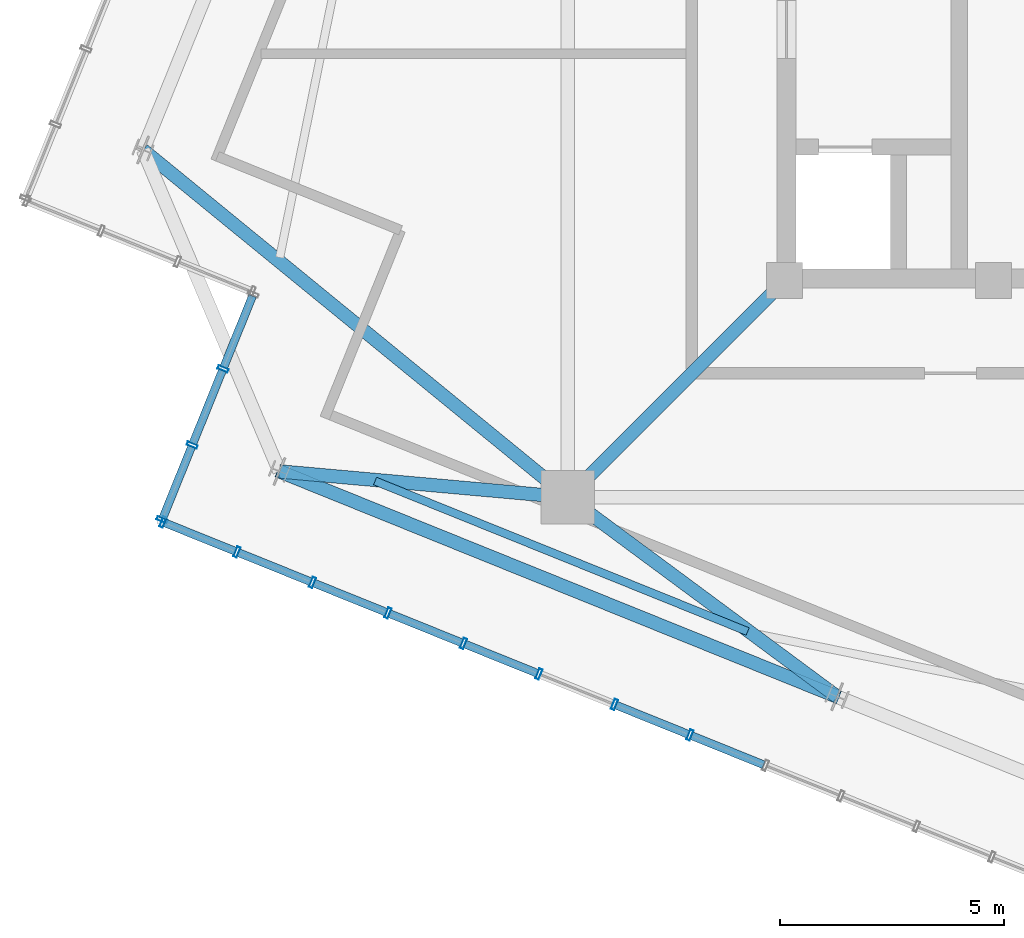
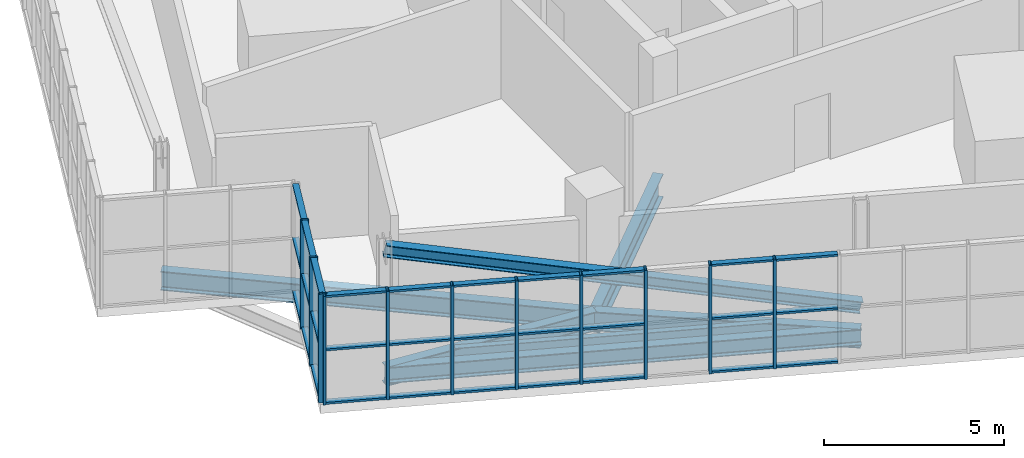
# One storey, part 3 of 26: 42 members, 6 beams, 2 elements without a shape of their own.
"""IFC4 building model written with IfcOpenShell, lengths in metres."""

from ifc_helpers import new_model, si_unit, direction, frame, origin, origin_2d, place, context, subcontext, project, spatial, hollow_rectangle, i_section, extrude, source, transform, mapped, material, layer, layer_set, material_profile, profile_set, type_object, element, aggregate, save


model = new_model("IFC4")

# Units and contexts
model_context = context("Model", 3, precision=1e-05, world=origin(), true_north=direction((0.0, 1.0)))
body_context = subcontext(model_context, "Body", "Model", "MODEL_VIEW")
ifc_project = project(units=[si_unit("LENGTHUNIT", "METRE"), si_unit("AREAUNIT", "SQUARE_METRE"), si_unit("VOLUMEUNIT", "CUBIC_METRE"), si_unit("PLANEANGLEUNIT", "RADIAN"), si_unit("MASSUNIT", "GRAM", prefix="KILO"), si_unit("THERMODYNAMICTEMPERATUREUNIT", "KELVIN")], contexts=[model_context])

# Site, building, storey
site_placement = place(None, origin())
site = spatial("IfcSite", under=ifc_project, at=site_placement, CompositionType="ELEMENT")
building_placement = place(site_placement, origin())
building = spatial("IfcBuilding", under=site, at=building_placement, Name="Kosmvard Interchange Tower", CompositionType="ELEMENT")
storey_placement = place(building_placement, frame((0.0, 0.0, 333.60009765625)))
storey = spatial("IfcBuildingStorey", under=building, at=storey_placement, Name="L82", CompositionType="ELEMENT", Elevation=333.60009765625)

# Beam
ifc_material_1 = material(Name="Steel S355", Category="steel")
ifc_material_profile_1 = material_profile(ifc_material_1, i_section(OverallWidth=0.300048828125, OverallDepth=0.800048828125, WebThickness=0.017578125, FlangeThickness=0.032958984375, FilletRadius=0.027099609375, at=origin_2d()), Name="HEB 800")
ifc_profile_set_1 = profile_set([ifc_material_profile_1], Name="Steel S355")
beam_type_1 = type_object("IfcBeamType", Name="Primary Mega-Frame Girder HEB 800 S355", PredefinedType="BEAM", material=ifc_profile_set_1)
shared_shape_1 = source(origin(), body_context, "Body", "SweptSolid", [
    extrude(i_section(OverallWidth=0.300048828125, OverallDepth=0.800048828125, WebThickness=0.017578125, FlangeThickness=0.032958984375, FilletRadius=0.027099609375, at=origin_2d()), origin(), (0.0, 0.0, 1.0), 6.83203125),
])
beam_1_placement = place(storey_placement, frame((-8.25, -8.25, -0.7001953125), z_axis=(-0.707106781187, -0.707106781187, 0.0), x_axis=(0.707106781187, -0.707106781187, 0.0)))
element("IfcBeam", 1, at=beam_1_placement, inside=storey, type_object=beam_type_1, Name="L82 Radial Mega-Frame Girder 1", PredefinedType="BEAM", context=body_context, shape_type="MappedRepresentation", body=[
    mapped(shared_shape_1, transform((0.0, 0.0, 0.0), scale=1.0)),
])

# Member
ifc_material_profile_2 = material_profile(ifc_material_1, i_section(OverallWidth=0.300048828125, OverallDepth=0.39990234375, WebThickness=0.013427734375, FlangeThickness=0.02392578125, FilletRadius=0.027099609375, at=origin_2d()), Name="HEB 400")
ifc_profile_set_2 = profile_set([ifc_material_profile_2], Name="Steel S355")
member_type_1 = type_object("IfcMemberType", Name="Lantern Crown Diagrid Brace HEB 400 S355", PredefinedType="BRACE", material=ifc_profile_set_2)
shared_shape_2 = source(origin(), body_context, "Body", "SweptSolid", [
    extrude(i_section(OverallWidth=0.300048828125, OverallDepth=0.39990234375, WebThickness=0.013427734375, FlangeThickness=0.02392578125, FilletRadius=0.027099609375, at=origin_2d()), origin(), (0.0, 0.0, 1.0), 13.78369140625),
])
member_1_placement = place(storey_placement, frame((-7.080078125, -17.523681640625, 0.419921875), z_axis=(-0.901373372792, 0.364162635972, 0.234332279859), x_axis=(-0.374592580972, -0.927189515839, 0.0)))
element("IfcMember", 2, at=member_1_placement, inside=storey, type_object=member_type_1, Name="L82 Crown Lantern Diagrid Brace W1", PredefinedType="BRACE", context=body_context, shape_type="MappedRepresentation", body=[
    mapped(shared_shape_2, transform((0.0, 0.0, 0.0), scale=1.0)),
])

# Beams
ifc_material_profile_3 = material_profile(ifc_material_1, i_section(OverallWidth=0.300048828125, OverallDepth=0.550048828125, WebThickness=0.014892578125, FlangeThickness=0.029052734375, FilletRadius=0.027099609375, at=origin_2d()), Name="HEB 550")
ifc_profile_set_3 = profile_set([ifc_material_profile_3], Name="Steel S355")
beam_type_2 = type_object("IfcBeamType", Name="Crown Ring Cap Girder HEB 550 S355", PredefinedType="BEAM", material=ifc_profile_set_3)
shared_shape_3 = source(origin(), body_context, "Body", "SweptSolid", [
    extrude(i_section(OverallWidth=0.300048828125, OverallDepth=0.550048828125, WebThickness=0.014892578125, FlangeThickness=0.029052734375, FilletRadius=0.027099609375, at=origin_2d()), origin(), (0.0, 0.0, 1.0), 13.39990234375),
])
beam_2_placement = place(storey_placement, frame((-19.50439453125, -12.504150390625, -0.5751953125), z_axis=(0.927189515839, -0.374592580972, 0.0), x_axis=(0.374592580972, 0.927189515839, 0.0)))
element("IfcBeam", 3, at=beam_2_placement, inside=storey, type_object=beam_type_2, Name="BM-L82-PR10", PredefinedType="BEAM", context=body_context, shape_type="MappedRepresentation", body=[
    mapped(shared_shape_3, transform((0.0, 0.0, 0.0), scale=1.0)),
])
ifc_material_profile_4 = material_profile(ifc_material_1, i_section(OverallWidth=0.300048828125, OverallDepth=0.64990234375, WebThickness=0.01611328125, FlangeThickness=0.031005859375, FilletRadius=0.027099609375, at=origin_2d()), Name="HEB 650")
ifc_profile_set_4 = profile_set([ifc_material_profile_4], Name="Steel S355")
beam_type_3 = type_object("IfcBeamType", Name="Primary Floor Girder HEB 650 S355", PredefinedType="BEAM", material=ifc_profile_set_4)
shared_shape_4 = source(origin(), body_context, "Body", "SweptSolid", [
    extrude(i_section(OverallWidth=0.300048828125, OverallDepth=0.64990234375, WebThickness=0.01611328125, FlangeThickness=0.031005859375, FilletRadius=0.027099609375, at=origin_2d()), origin(), (0.0, 0.0, 1.0), 6.44921875),
])
beam_3_placement = place(storey_placement, frame((-13.0810546875, -13.0810546875, -0.625), z_axis=(-0.995990982197, 0.089453694068, 0.0), x_axis=(-0.089453694068, -0.995990982197, 0.0)))
element("IfcBeam", 4, at=beam_3_placement, inside=storey, type_object=beam_type_3, Name="BM-L82-RD10", PredefinedType="BEAM", context=body_context, shape_type="MappedRepresentation", body=[
    mapped(shared_shape_4, transform((0.0, 0.0, 0.0), scale=1.0)),
])
shared_shape_5 = source(origin(), body_context, "Body", "SweptSolid", [
    extrude(i_section(OverallWidth=0.300048828125, OverallDepth=0.64990234375, WebThickness=0.01611328125, FlangeThickness=0.031005859375, FilletRadius=0.027099609375, at=origin_2d()), origin(), (0.0, 0.0, 1.0), 7.466552734375),
])
beam_4_placement = place(storey_placement, frame((-13.0810546875, -13.0810546875, -0.625), z_axis=(0.803719929879, -0.595007793491, 0.0), x_axis=(0.595007793491, 0.803719929879, 0.0)))
element("IfcBeam", 5, at=beam_4_placement, inside=storey, type_object=beam_type_3, Name="BM-L82-RD11", PredefinedType="BEAM", context=body_context, shape_type="MappedRepresentation", body=[
    mapped(shared_shape_5, transform((0.0, 0.0, 0.0), scale=1.0)),
])
shared_shape_6 = source(origin(), body_context, "Body", "SweptSolid", [
    extrude(i_section(OverallWidth=0.300048828125, OverallDepth=0.64990234375, WebThickness=0.01611328125, FlangeThickness=0.031005859375, FilletRadius=0.027099609375, at=origin_2d()), origin(), (0.0, 0.0, 1.0), 12.22265625),
])
beam_5_placement = place(storey_placement, frame((-13.0810546875, -13.0810546875, -0.625), z_axis=(-0.774163725034, 0.632985408079, 0.0), x_axis=(-0.632985408079, -0.774163725034, 0.0)))
element("IfcBeam", 6, at=beam_5_placement, inside=storey, type_object=beam_type_3, Name="BM-L82-RD09", PredefinedType="BEAM", context=body_context, shape_type="MappedRepresentation", body=[
    mapped(shared_shape_6, transform((0.0, 0.0, 0.0), scale=1.0)),
])
ifc_material_profile_5 = material_profile(ifc_material_1, i_section(OverallWidth=0.179931640625, OverallDepth=0.39990234375, WebThickness=0.008544921875, FlangeThickness=0.013427734375, FilletRadius=0.02099609375, at=origin_2d()), Name="IPE 400")
ifc_profile_set_5 = profile_set([ifc_material_profile_5], Name="Steel S355")
beam_type_4 = type_object("IfcBeamType", Name="Upper-Zone Floor Joist IPE 400 S355", PredefinedType="JOIST", material=ifc_profile_set_5)
shared_shape_7 = source(origin(), body_context, "Body", "SweptSolid", [
    extrude(i_section(OverallWidth=0.179931640625, OverallDepth=0.39990234375, WebThickness=0.008544921875, FlangeThickness=0.013427734375, FilletRadius=0.02099609375, at=origin_2d()), origin(), (0.0, 0.0, 1.0), 8.9521484375),
])
beam_6_placement = place(storey_placement, frame((-17.374755859375, -12.71875, -0.5), z_axis=(0.927194118723, -0.374581187736, 0.0), x_axis=(0.374581187736, 0.927194118723, 0.0)))
element("IfcBeam", 7, at=beam_6_placement, inside=storey, type_object=beam_type_4, Name="BM-L82-FJ07", PredefinedType="JOIST", context=body_context, shape_type="MappedRepresentation", body=[
    mapped(shared_shape_7, transform((0.0, 0.0, 0.0), scale=1.0)),
])

# Curtain wall, members
ifc_material_2 = material(Name="Architectural anodised aluminium", Category="aluminium")
ifc_layer = layer(ifc_material_2, 0.25, Name="Architectural anodised aluminium")
ifc_layer_set = layer_set([ifc_layer], Name="Architectural anodised aluminium")
curtain_wall_type = type_object("IfcCurtainWallType", Name="CW-6 Illuminated Crown Lantern Curtain Wall", PredefinedType="NOTDEFINED", material=ifc_layer_set)
curtain_wall_1_placement = place(storey_placement, origin())
curtain_wall_1 = element("IfcCurtainWall", 8, at=curtain_wall_1_placement, inside=storey, type_object=curtain_wall_type, Name="L82 Crown Lantern Glazing Face 09", PredefinedType="NOTDEFINED")
ifc_material_profile_6 = material_profile(ifc_material_2, hollow_rectangle(XDim=0.239990234375, YDim=0.080078125, WallThickness=0.006103515625, at=origin_2d()), Name="CWM 240x80x6")
ifc_profile_set_6 = profile_set([ifc_material_profile_6], Name="Architectural anodised aluminium")
member_type_2 = type_object("IfcMemberType", Name="Lantern & Observation CW Mullion 240x80 Aluminium", PredefinedType="MULLION", material=ifc_profile_set_6)
shared_shape_8 = source(origin(), body_context, "Body", "SweptSolid", [
    extrude(hollow_rectangle(XDim=0.239990234375, YDim=0.080078125, WallThickness=0.006103515625, at=origin_2d()), origin(), (0.0, 0.0, 1.0), 3.699951171875),
])
member_2_placement = place(storey_placement, frame((-20.760498046875, -10.220458984375, 0.0), z_axis=(0.0, 0.0, 1.0), x_axis=(0.927183891631, -0.374606501678, 0.0)))
member_2 = element("IfcMember", 9, at=member_2_placement, type_object=member_type_2, Name="CW-6 mullion 2", PredefinedType="MULLION", context=body_context, shape_type="MappedRepresentation", body=[
    mapped(shared_shape_8, transform((0.0, 0.0, 0.0), scale=1.0)),
])
member_3_placement = place(storey_placement, frame((-21.447265625, -11.92041015625, 0.0), z_axis=(0.0, 0.0, 1.0), x_axis=(0.927183891631, -0.374606501678, 0.0)))
member_3 = element("IfcMember", 10, at=member_3_placement, type_object=member_type_2, Name="CW-6 mullion 3", PredefinedType="MULLION", context=body_context, shape_type="MappedRepresentation", body=[
    mapped(shared_shape_8, transform((0.0, 0.0, 0.0), scale=1.0)),
])
member_4_placement = place(storey_placement, frame((-22.118896484375, -13.583251953125, 0.0), z_axis=(0.0, 0.0, 1.0), x_axis=(0.927183891631, -0.374606501678, 0.0)))
member_4 = element("IfcMember", 11, at=member_4_placement, type_object=member_type_2, Name="CW-6 mullion 4", PredefinedType="MULLION", context=body_context, shape_type="MappedRepresentation", body=[
    mapped(shared_shape_8, transform((0.0, 0.0, 0.0), scale=1.0)),
])

curtain_wall_2_placement = place(storey_placement, origin())
curtain_wall_2 = element("IfcCurtainWall", 12, at=curtain_wall_2_placement, inside=storey, type_object=curtain_wall_type, Name="L82 Crown Lantern Glazing Face 10", PredefinedType="NOTDEFINED")
member_5_placement = place(storey_placement, frame((-22.096923828125, -13.63525390625, 0.0), z_axis=(0.0, 0.0, 1.0), x_axis=(0.374606584758, 0.927183858065, 0.0)))
member_5 = element("IfcMember", 13, at=member_5_placement, type_object=member_type_2, Name="CW-6 mullion 1", PredefinedType="MULLION", context=body_context, shape_type="MappedRepresentation", body=[
    mapped(shared_shape_8, transform((0.0, 0.0, 0.0), scale=1.0)),
])
member_6_placement = place(storey_placement, frame((-20.451904296875, -14.2998046875, 0.0), z_axis=(0.0, 0.0, 1.0), x_axis=(0.374606584758, 0.927183858065, 0.0)))
member_6 = element("IfcMember", 14, at=member_6_placement, type_object=member_type_2, Name="CW-6 mullion 2", PredefinedType="MULLION", context=body_context, shape_type="MappedRepresentation", body=[
    mapped(shared_shape_8, transform((0.0, 0.0, 0.0), scale=1.0)),
])
member_7_placement = place(storey_placement, frame((-18.77001953125, -14.9794921875, 0.0), z_axis=(0.0, 0.0, 1.0), x_axis=(0.374606584758, 0.927183858065, 0.0)))
member_7 = element("IfcMember", 15, at=member_7_placement, type_object=member_type_2, Name="CW-6 mullion 3", PredefinedType="MULLION", context=body_context, shape_type="MappedRepresentation", body=[
    mapped(shared_shape_8, transform((0.0, 0.0, 0.0), scale=1.0)),
])
member_8_placement = place(storey_placement, frame((-17.087890625, -15.658935546875, 0.0), z_axis=(0.0, 0.0, 1.0), x_axis=(0.374606584758, 0.927183858065, 0.0)))
member_8 = element("IfcMember", 16, at=member_8_placement, type_object=member_type_2, Name="CW-6 mullion 4", PredefinedType="MULLION", context=body_context, shape_type="MappedRepresentation", body=[
    mapped(shared_shape_8, transform((0.0, 0.0, 0.0), scale=1.0)),
])
member_9_placement = place(storey_placement, frame((-15.40576171875, -16.338623046875, 0.0), z_axis=(0.0, 0.0, 1.0), x_axis=(0.374606584758, 0.927183858065, 0.0)))
member_9 = element("IfcMember", 17, at=member_9_placement, type_object=member_type_2, Name="CW-6 mullion 5", PredefinedType="MULLION", context=body_context, shape_type="MappedRepresentation", body=[
    mapped(shared_shape_8, transform((0.0, 0.0, 0.0), scale=1.0)),
])
member_10_placement = place(storey_placement, frame((-13.723876953125, -17.01806640625, 0.0), z_axis=(0.0, 0.0, 1.0), x_axis=(0.374606584758, 0.927183858065, 0.0)))
member_10 = element("IfcMember", 18, at=member_10_placement, type_object=member_type_2, Name="CW-6 mullion 6", PredefinedType="MULLION", context=body_context, shape_type="MappedRepresentation", body=[
    mapped(shared_shape_8, transform((0.0, 0.0, 0.0), scale=1.0)),
])
member_11_placement = place(storey_placement, frame((-12.041748046875, -17.69775390625, 0.0), z_axis=(0.0, 0.0, 1.0), x_axis=(0.374606584758, 0.927183858065, 0.0)))
member_11 = element("IfcMember", 19, at=member_11_placement, type_object=member_type_2, Name="CW-6 mullion 7", PredefinedType="MULLION", context=body_context, shape_type="MappedRepresentation", body=[
    mapped(shared_shape_8, transform((0.0, 0.0, 0.0), scale=1.0)),
])
member_12_placement = place(storey_placement, frame((-10.35986328125, -18.377197265625, 0.0), z_axis=(0.0, 0.0, 1.0), x_axis=(0.374606584758, 0.927183858065, 0.0)))
member_12 = element("IfcMember", 20, at=member_12_placement, type_object=member_type_2, Name="CW-6 mullion 8", PredefinedType="MULLION", context=body_context, shape_type="MappedRepresentation", body=[
    mapped(shared_shape_8, transform((0.0, 0.0, 0.0), scale=1.0)),
])
ifc_material_profile_7 = material_profile(ifc_material_2, hollow_rectangle(XDim=0.179931640625, YDim=0.070068359375, WallThickness=0.0048828125, at=origin_2d()), Name="CWT 180x70x5")
ifc_profile_set_7 = profile_set([ifc_material_profile_7], Name="Architectural anodised aluminium")
member_type_3 = type_object("IfcMemberType", Name="Heavy Lantern CW Transom 180x70 Aluminium", PredefinedType="USERDEFINED", material=ifc_profile_set_7)
shared_shape_9 = source(origin(), body_context, "Body", "SweptSolid", [
    extrude(hollow_rectangle(XDim=0.179931640625, YDim=0.070068359375, WallThickness=0.0048828125, at=origin_2d()), origin(), (0.0, 0.0, 1.0), 1.694091796875),
])
member_13_placement = place(storey_placement, frame((-22.059814453125, -13.650146484375, 0.034912109375), z_axis=(0.927159064032, -0.374667946298, 0.0), x_axis=(0.374667946298, 0.927159064032, 0.0)))
member_13 = element("IfcMember", 21, at=member_13_placement, type_object=member_type_3, Name="CW-6 transom 1.1", ObjectType="TRANSOM", PredefinedType="USERDEFINED", context=body_context, shape_type="MappedRepresentation", body=[
    mapped(shared_shape_9, transform((0.0, 0.0, 0.0), scale=1.0)),
])
member_14_placement = place(storey_placement, frame((-22.059814453125, -13.650146484375, 1.849853515625), z_axis=(0.927159064032, -0.374667946298, 0.0), x_axis=(0.374667946298, 0.927159064032, 0.0)))
member_14 = element("IfcMember", 22, at=member_14_placement, type_object=member_type_3, Name="CW-6 transom 1.2", ObjectType="TRANSOM", PredefinedType="USERDEFINED", context=body_context, shape_type="MappedRepresentation", body=[
    mapped(shared_shape_9, transform((0.0, 0.0, 0.0), scale=1.0)),
])
member_15_placement = place(storey_placement, frame((-22.059814453125, -13.650146484375, 3.664794921875), z_axis=(0.927159064032, -0.374667946298, 0.0), x_axis=(0.374667946298, 0.927159064032, 0.0)))
member_15 = element("IfcMember", 23, at=member_15_placement, type_object=member_type_3, Name="CW-6 transom 1.3", ObjectType="TRANSOM", PredefinedType="USERDEFINED", context=body_context, shape_type="MappedRepresentation", body=[
    mapped(shared_shape_9, transform((0.0, 0.0, 0.0), scale=1.0)),
])
shared_shape_10 = source(origin(), body_context, "Body", "SweptSolid", [
    extrude(hollow_rectangle(XDim=0.179931640625, YDim=0.070068359375, WallThickness=0.0048828125, at=origin_2d()), origin(), (0.0, 0.0, 1.0), 1.734130859375),
])
member_16_placement = place(storey_placement, frame((-20.414794921875, -14.314697265625, 0.034912109375), z_axis=(0.927179782522, -0.374616671924, 0.0), x_axis=(0.374616671924, 0.927179782522, 0.0)))
member_16 = element("IfcMember", 24, at=member_16_placement, type_object=member_type_3, Name="CW-6 transom 2.1", ObjectType="TRANSOM", PredefinedType="USERDEFINED", context=body_context, shape_type="MappedRepresentation", body=[
    mapped(shared_shape_10, transform((0.0, 0.0, 0.0), scale=1.0)),
])
member_17_placement = place(storey_placement, frame((-20.414794921875, -14.314697265625, 1.849853515625), z_axis=(0.927179782522, -0.374616671924, 0.0), x_axis=(0.374616671924, 0.927179782522, 0.0)))
member_17 = element("IfcMember", 25, at=member_17_placement, type_object=member_type_3, Name="CW-6 transom 2.2", ObjectType="TRANSOM", PredefinedType="USERDEFINED", context=body_context, shape_type="MappedRepresentation", body=[
    mapped(shared_shape_10, transform((0.0, 0.0, 0.0), scale=1.0)),
])
member_18_placement = place(storey_placement, frame((-20.414794921875, -14.314697265625, 3.664794921875), z_axis=(0.927179782522, -0.374616671924, 0.0), x_axis=(0.374616671924, 0.927179782522, 0.0)))
member_18 = element("IfcMember", 26, at=member_18_placement, type_object=member_type_3, Name="CW-6 transom 2.3", ObjectType="TRANSOM", PredefinedType="USERDEFINED", context=body_context, shape_type="MappedRepresentation", body=[
    mapped(shared_shape_10, transform((0.0, 0.0, 0.0), scale=1.0)),
])
member_19_placement = place(storey_placement, frame((-18.73291015625, -14.994384765625, 0.034912109375), z_axis=(0.927179782522, -0.374616671924, 0.0), x_axis=(0.374616671924, 0.927179782522, 0.0)))
member_19 = element("IfcMember", 27, at=member_19_placement, type_object=member_type_3, Name="CW-6 transom 3.1", ObjectType="TRANSOM", PredefinedType="USERDEFINED", context=body_context, shape_type="MappedRepresentation", body=[
    mapped(shared_shape_10, transform((0.0, 0.0, 0.0), scale=1.0)),
])
member_20_placement = place(storey_placement, frame((-18.73291015625, -14.994384765625, 1.849853515625), z_axis=(0.927179782522, -0.374616671924, 0.0), x_axis=(0.374616671924, 0.927179782522, 0.0)))
member_20 = element("IfcMember", 28, at=member_20_placement, type_object=member_type_3, Name="CW-6 transom 3.2", ObjectType="TRANSOM", PredefinedType="USERDEFINED", context=body_context, shape_type="MappedRepresentation", body=[
    mapped(shared_shape_10, transform((0.0, 0.0, 0.0), scale=1.0)),
])
member_21_placement = place(storey_placement, frame((-18.73291015625, -14.994384765625, 3.664794921875), z_axis=(0.927179782522, -0.374616671924, 0.0), x_axis=(0.374616671924, 0.927179782522, 0.0)))
member_21 = element("IfcMember", 29, at=member_21_placement, type_object=member_type_3, Name="CW-6 transom 3.3", ObjectType="TRANSOM", PredefinedType="USERDEFINED", context=body_context, shape_type="MappedRepresentation", body=[
    mapped(shared_shape_10, transform((0.0, 0.0, 0.0), scale=1.0)),
])
member_22_placement = place(storey_placement, frame((-17.05078125, -15.674072265625, 0.034912109375), z_axis=(0.927228675447, -0.374495638732, 0.0), x_axis=(0.374495638732, 0.927228675447, 0.0)))
member_22 = element("IfcMember", 30, at=member_22_placement, type_object=member_type_3, Name="CW-6 transom 4.1", ObjectType="TRANSOM", PredefinedType="USERDEFINED", context=body_context, shape_type="MappedRepresentation", body=[
    mapped(shared_shape_10, transform((0.0, 0.0, 0.0), scale=1.0)),
])
member_23_placement = place(storey_placement, frame((-17.05078125, -15.674072265625, 1.849853515625), z_axis=(0.927228675447, -0.374495638732, 0.0), x_axis=(0.374495638732, 0.927228675447, 0.0)))
member_23 = element("IfcMember", 31, at=member_23_placement, type_object=member_type_3, Name="CW-6 transom 4.2", ObjectType="TRANSOM", PredefinedType="USERDEFINED", context=body_context, shape_type="MappedRepresentation", body=[
    mapped(shared_shape_10, transform((0.0, 0.0, 0.0), scale=1.0)),
])
member_24_placement = place(storey_placement, frame((-17.05078125, -15.674072265625, 3.664794921875), z_axis=(0.927228675447, -0.374495638732, 0.0), x_axis=(0.374495638732, 0.927228675447, 0.0)))
member_24 = element("IfcMember", 32, at=member_24_placement, type_object=member_type_3, Name="CW-6 transom 4.3", ObjectType="TRANSOM", PredefinedType="USERDEFINED", context=body_context, shape_type="MappedRepresentation", body=[
    mapped(shared_shape_10, transform((0.0, 0.0, 0.0), scale=1.0)),
])
member_25_placement = place(storey_placement, frame((-15.368896484375, -16.353515625, 0.034912109375), z_axis=(0.927179782522, -0.374616671924, 0.0), x_axis=(0.374616671924, 0.927179782522, 0.0)))
member_25 = element("IfcMember", 33, at=member_25_placement, type_object=member_type_3, Name="CW-6 transom 5.1", ObjectType="TRANSOM", PredefinedType="USERDEFINED", context=body_context, shape_type="MappedRepresentation", body=[
    mapped(shared_shape_10, transform((0.0, 0.0, 0.0), scale=1.0)),
])
member_26_placement = place(storey_placement, frame((-15.368896484375, -16.353515625, 1.849853515625), z_axis=(0.927179782522, -0.374616671924, 0.0), x_axis=(0.374616671924, 0.927179782522, 0.0)))
member_26 = element("IfcMember", 34, at=member_26_placement, type_object=member_type_3, Name="CW-6 transom 5.2", ObjectType="TRANSOM", PredefinedType="USERDEFINED", context=body_context, shape_type="MappedRepresentation", body=[
    mapped(shared_shape_10, transform((0.0, 0.0, 0.0), scale=1.0)),
])
member_27_placement = place(storey_placement, frame((-15.368896484375, -16.353515625, 3.664794921875), z_axis=(0.927179782522, -0.374616671924, 0.0), x_axis=(0.374616671924, 0.927179782522, 0.0)))
member_27 = element("IfcMember", 35, at=member_27_placement, type_object=member_type_3, Name="CW-6 transom 5.3", ObjectType="TRANSOM", PredefinedType="USERDEFINED", context=body_context, shape_type="MappedRepresentation", body=[
    mapped(shared_shape_10, transform((0.0, 0.0, 0.0), scale=1.0)),
])
member_28_placement = place(storey_placement, frame((-10.32275390625, -18.392333984375, 0.034912109375), z_axis=(0.927179782522, -0.374616671924, 0.0), x_axis=(0.374616671924, 0.927179782522, 0.0)))
member_28 = element("IfcMember", 36, at=member_28_placement, type_object=member_type_3, Name="CW-6 transom 8.1", ObjectType="TRANSOM", PredefinedType="USERDEFINED", context=body_context, shape_type="MappedRepresentation", body=[
    mapped(shared_shape_10, transform((0.0, 0.0, 0.0), scale=1.0)),
])
member_29_placement = place(storey_placement, frame((-10.32275390625, -18.392333984375, 1.849853515625), z_axis=(0.927179782522, -0.374616671924, 0.0), x_axis=(0.374616671924, 0.927179782522, 0.0)))
member_29 = element("IfcMember", 37, at=member_29_placement, type_object=member_type_3, Name="CW-6 transom 8.2", ObjectType="TRANSOM", PredefinedType="USERDEFINED", context=body_context, shape_type="MappedRepresentation", body=[
    mapped(shared_shape_10, transform((0.0, 0.0, 0.0), scale=1.0)),
])
member_30_placement = place(storey_placement, frame((-10.32275390625, -18.392333984375, 3.664794921875), z_axis=(0.927179782522, -0.374616671924, 0.0), x_axis=(0.374616671924, 0.927179782522, 0.0)))
member_30 = element("IfcMember", 38, at=member_30_placement, type_object=member_type_3, Name="CW-6 transom 8.3", ObjectType="TRANSOM", PredefinedType="USERDEFINED", context=body_context, shape_type="MappedRepresentation", body=[
    mapped(shared_shape_10, transform((0.0, 0.0, 0.0), scale=1.0)),
])
shared_shape_11 = source(origin(), body_context, "Body", "SweptSolid", [
    extrude(hollow_rectangle(XDim=0.179931640625, YDim=0.070068359375, WallThickness=0.0048828125, at=origin_2d()), origin(), (0.0, 0.0, 1.0), 1.73388671875),
])
member_31_placement = place(storey_placement, frame((-12.004638671875, -17.712646484375, 0.034912109375), z_axis=(0.927160021861, -0.374665576032, 0.0), x_axis=(0.374665576032, 0.927160021861, 0.0)))
member_31 = element("IfcMember", 39, at=member_31_placement, type_object=member_type_3, Name="CW-6 transom 7.1", ObjectType="TRANSOM", PredefinedType="USERDEFINED", context=body_context, shape_type="MappedRepresentation", body=[
    mapped(shared_shape_11, transform((0.0, 0.0, 0.0), scale=1.0)),
])
member_32_placement = place(storey_placement, frame((-12.004638671875, -17.712646484375, 1.849853515625), z_axis=(0.927160021861, -0.374665576032, 0.0), x_axis=(0.374665576032, 0.927160021861, 0.0)))
member_32 = element("IfcMember", 40, at=member_32_placement, type_object=member_type_3, Name="CW-6 transom 7.2", ObjectType="TRANSOM", PredefinedType="USERDEFINED", context=body_context, shape_type="MappedRepresentation", body=[
    mapped(shared_shape_11, transform((0.0, 0.0, 0.0), scale=1.0)),
])
member_33_placement = place(storey_placement, frame((-12.004638671875, -17.712646484375, 3.664794921875), z_axis=(0.927160021861, -0.374665576032, 0.0), x_axis=(0.374665576032, 0.927160021861, 0.0)))
member_33 = element("IfcMember", 41, at=member_33_placement, type_object=member_type_3, Name="CW-6 transom 7.3", ObjectType="TRANSOM", PredefinedType="USERDEFINED", context=body_context, shape_type="MappedRepresentation", body=[
    mapped(shared_shape_11, transform((0.0, 0.0, 0.0), scale=1.0)),
])
aggregate(curtain_wall_2, [member_5, member_6, member_7, member_8, member_9, member_10, member_11, member_12, member_13, member_14, member_15, member_16, member_17, member_18, member_19, member_20, member_21, member_22, member_23, member_24, member_25, member_26, member_27, member_31, member_32, member_33, member_28, member_29, member_30])

# Member
shared_shape_12 = source(origin(), body_context, "Body", "SweptSolid", [
    extrude(hollow_rectangle(XDim=0.179931640625, YDim=0.070068359375, WallThickness=0.0048828125, at=origin_2d()), origin(), (0.0, 0.0, 1.0), 1.71337890625),
])
member_34_placement = place(storey_placement, frame((-20.103515625, -8.594970703125, 0.034912109375), z_axis=(-0.374606758599, -0.927183787829, 0.0), x_axis=(0.927183787829, -0.374606758599, 0.0)))
member_34 = element("IfcMember", 42, at=member_34_placement, type_object=member_type_3, Name="CW-6 transom 1.1", ObjectType="TRANSOM", PredefinedType="USERDEFINED", context=body_context, shape_type="MappedRepresentation", body=[
    mapped(shared_shape_12, transform((0.0, 0.0, 0.0), scale=1.0)),
])

member_35_placement = place(storey_placement, frame((-20.103515625, -8.594970703125, 1.849853515625), z_axis=(-0.374606758599, -0.927183787829, 0.0), x_axis=(0.927183787829, -0.374606758599, 0.0)))
member_35 = element("IfcMember", 43, at=member_35_placement, type_object=member_type_3, Name="CW-6 transom 1.2", ObjectType="TRANSOM", PredefinedType="USERDEFINED", context=body_context, shape_type="MappedRepresentation", body=[
    mapped(shared_shape_12, transform((0.0, 0.0, 0.0), scale=1.0)),
])

member_36_placement = place(storey_placement, frame((-20.103515625, -8.594970703125, 3.664794921875), z_axis=(-0.374606758599, -0.927183787829, 0.0), x_axis=(0.927183787829, -0.374606758599, 0.0)))
member_36 = element("IfcMember", 44, at=member_36_placement, type_object=member_type_3, Name="CW-6 transom 1.3", ObjectType="TRANSOM", PredefinedType="USERDEFINED", context=body_context, shape_type="MappedRepresentation", body=[
    mapped(shared_shape_12, transform((0.0, 0.0, 0.0), scale=1.0)),
])

member_37_placement = place(storey_placement, frame((-21.462158203125, -11.95751953125, 0.034912109375), z_axis=(-0.374606758599, -0.927183787829, 0.0), x_axis=(0.927183787829, -0.374606758599, 0.0)))
member_37 = element("IfcMember", 45, at=member_37_placement, type_object=member_type_3, Name="CW-6 transom 3.1", ObjectType="TRANSOM", PredefinedType="USERDEFINED", context=body_context, shape_type="MappedRepresentation", body=[
    mapped(shared_shape_12, transform((0.0, 0.0, 0.0), scale=1.0)),
])

member_38_placement = place(storey_placement, frame((-21.462158203125, -11.95751953125, 1.849853515625), z_axis=(-0.374606758599, -0.927183787829, 0.0), x_axis=(0.927183787829, -0.374606758599, 0.0)))
member_38 = element("IfcMember", 46, at=member_38_placement, type_object=member_type_3, Name="CW-6 transom 3.2", ObjectType="TRANSOM", PredefinedType="USERDEFINED", context=body_context, shape_type="MappedRepresentation", body=[
    mapped(shared_shape_12, transform((0.0, 0.0, 0.0), scale=1.0)),
])

member_39_placement = place(storey_placement, frame((-21.462158203125, -11.95751953125, 3.664794921875), z_axis=(-0.374606758599, -0.927183787829, 0.0), x_axis=(0.927183787829, -0.374606758599, 0.0)))
member_39 = element("IfcMember", 47, at=member_39_placement, type_object=member_type_3, Name="CW-6 transom 3.3", ObjectType="TRANSOM", PredefinedType="USERDEFINED", context=body_context, shape_type="MappedRepresentation", body=[
    mapped(shared_shape_12, transform((0.0, 0.0, 0.0), scale=1.0)),
])

shared_shape_13 = source(origin(), body_context, "Body", "SweptSolid", [
    extrude(hollow_rectangle(XDim=0.179931640625, YDim=0.070068359375, WallThickness=0.0048828125, at=origin_2d()), origin(), (0.0, 0.0, 1.0), 1.75341796875),
])
member_40_placement = place(storey_placement, frame((-20.775390625, -10.257568359375, 0.034912109375), z_axis=(-0.37455743912, -0.927203712676, 0.0), x_axis=(0.927203712676, -0.37455743912, 0.0)))
member_40 = element("IfcMember", 48, at=member_40_placement, type_object=member_type_3, Name="CW-6 transom 2.1", ObjectType="TRANSOM", PredefinedType="USERDEFINED", context=body_context, shape_type="MappedRepresentation", body=[
    mapped(shared_shape_13, transform((0.0, 0.0, 0.0), scale=1.0)),
])

member_41_placement = place(storey_placement, frame((-20.775390625, -10.257568359375, 1.849853515625), z_axis=(-0.37455743912, -0.927203712676, 0.0), x_axis=(0.927203712676, -0.37455743912, 0.0)))
member_41 = element("IfcMember", 49, at=member_41_placement, type_object=member_type_3, Name="CW-6 transom 2.2", ObjectType="TRANSOM", PredefinedType="USERDEFINED", context=body_context, shape_type="MappedRepresentation", body=[
    mapped(shared_shape_13, transform((0.0, 0.0, 0.0), scale=1.0)),
])

member_42_placement = place(storey_placement, frame((-20.775390625, -10.257568359375, 3.664794921875), z_axis=(-0.37455743912, -0.927203712676, 0.0), x_axis=(0.927203712676, -0.37455743912, 0.0)))
member_42 = element("IfcMember", 50, at=member_42_placement, type_object=member_type_3, Name="CW-6 transom 2.3", ObjectType="TRANSOM", PredefinedType="USERDEFINED", context=body_context, shape_type="MappedRepresentation", body=[
    mapped(shared_shape_13, transform((0.0, 0.0, 0.0), scale=1.0)),
])

aggregate(curtain_wall_1, [member_2, member_3, member_4, member_34, member_35, member_36, member_40, member_41, member_42, member_37, member_38, member_39])

save(model, "model.ifc")
